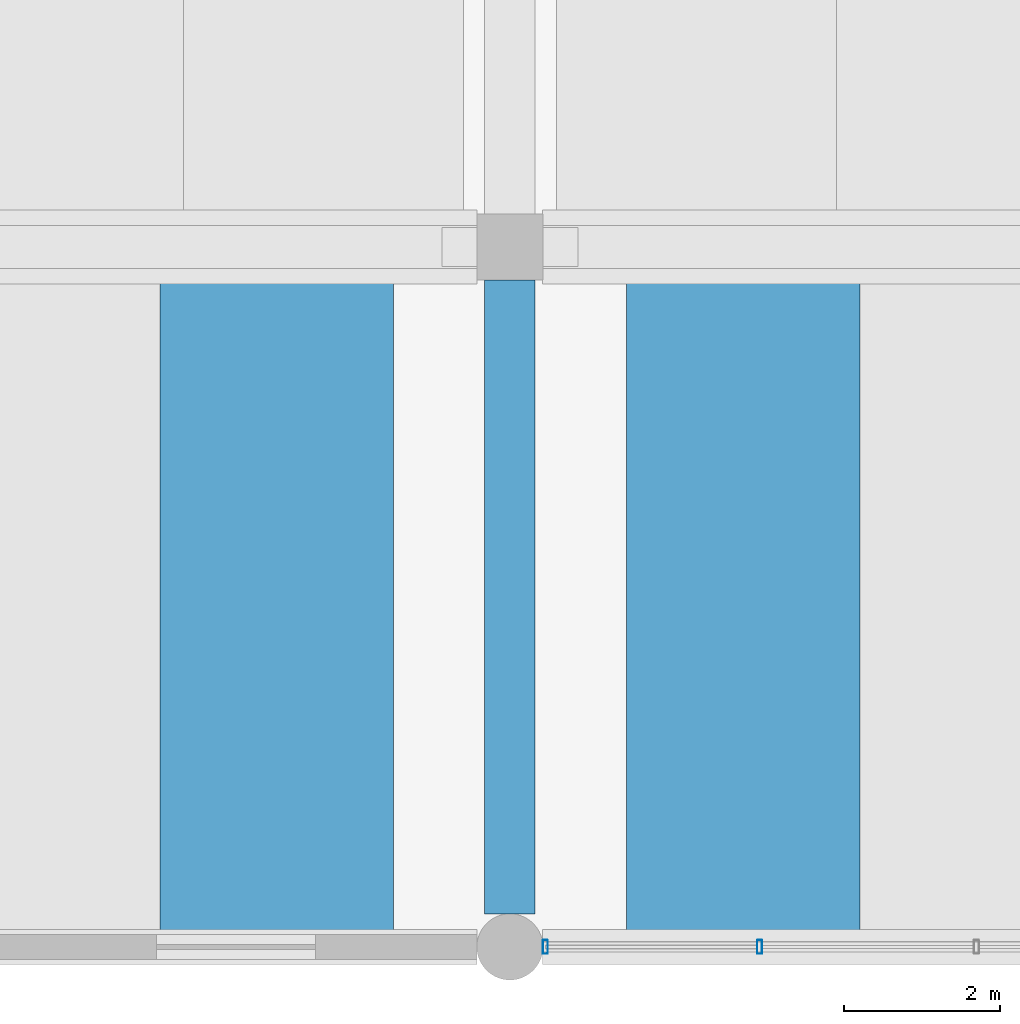
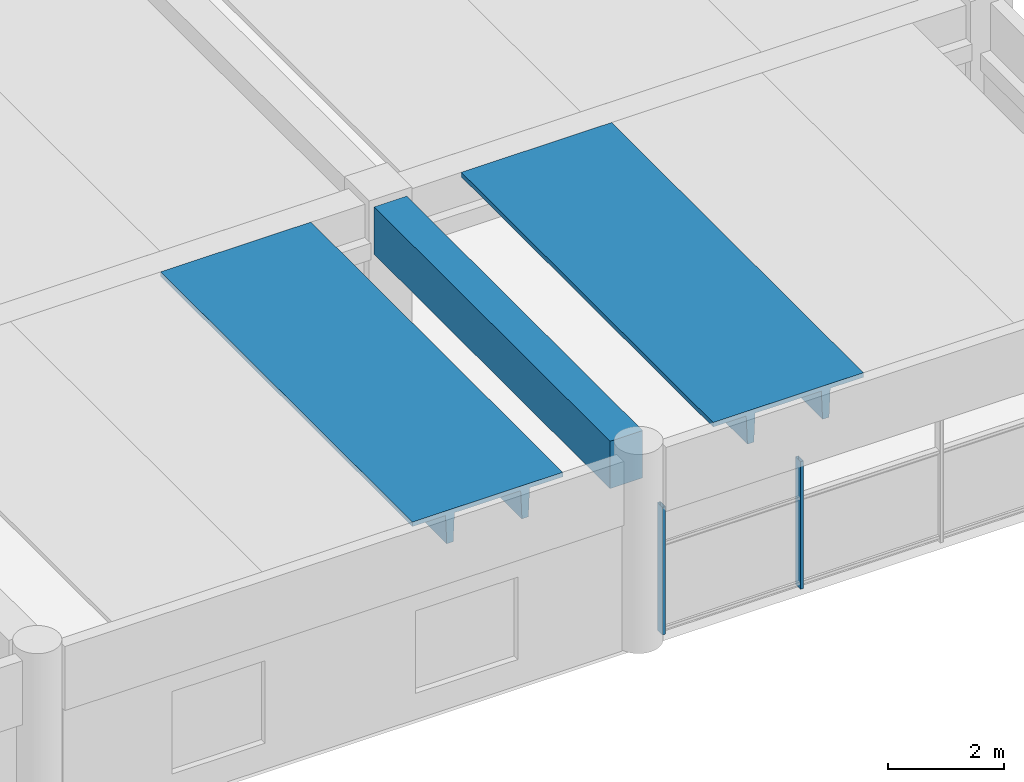
# One storey, part 23 of 50: 3 beams, 2 members, 1 element without a shape of its own.
"""IFC4 building model written with IfcOpenShell, lengths in metres."""

from ifc_helpers import new_model, si_unit, direction, frame, origin, origin_2d, place, context, subcontext, project, spatial, polyline, rectangle, hollow_rectangle, outline, extrude, material, material_profile, profile_set, type_object, element, aggregate, save


model = new_model("IFC4")

# Units and contexts
model_context = context("Model", 3, precision=1e-05, world=origin(), true_north=direction((0.0, 1.0)))
body_context = subcontext(model_context, "Body", "Model", "MODEL_VIEW")
ifc_project = project(units=[si_unit("LENGTHUNIT", "METRE"), si_unit("AREAUNIT", "SQUARE_METRE"), si_unit("VOLUMEUNIT", "CUBIC_METRE"), si_unit("PLANEANGLEUNIT", "RADIAN"), si_unit("MASSUNIT", "GRAM", prefix="KILO")], contexts=[model_context])

# Site, building, storey
site_placement = place(None, origin())
site = spatial("IfcSite", under=ifc_project, at=site_placement, CompositionType="ELEMENT")
building_placement = place(site_placement, origin())
building = spatial("IfcBuilding", under=site, at=building_placement, Name="Girod Span Mobility Hub", CompositionType="ELEMENT")
storey_placement = place(building_placement, frame((0.0, 0.0, 5.39990234375)))
storey = spatial("IfcBuildingStorey", under=building, at=storey_placement, Name="L01", CompositionType="ELEMENT", Elevation=5.39990234375)

# Beams
ifc_material_1 = material(Name="Concrete C50/60", Category="concrete")
ifc_material_profile_1 = material_profile(ifc_material_1, outline(polyline([(-1.5, 0.35009765625), (-1.5, 0.2548828125), (-0.840087890625, 0.2548828125), (-0.81494140625, -0.35009765625), (-0.68505859375, -0.35009765625), (-0.659912109375, 0.2548828125), (0.659912109375, 0.2548828125), (0.68505859375, -0.35009765625), (0.81494140625, -0.35009765625), (0.840087890625, 0.2548828125), (1.5, 0.2548828125), (1.5, 0.35009765625), (-1.5, 0.35009765625)])), Name="DT-3000X700")
ifc_profile_set_1 = profile_set([ifc_material_profile_1], Name="Concrete C50/60")
beam_type_1 = type_object("IfcBeamType", Name="BM-DT-3000X700", PredefinedType="JOIST", material=ifc_profile_set_1)
for number, where, z_axis, x_axis, name in (
    (1, (153.0, 0.02197265625, 3.690185546875), (0.0, 1.0, 0.0), (-1.0, 0.0, 0.0), "Double-Tee Deck 13/A-3 L01"),
    (2, (159.0, 0.02197265625, 3.690185546875), (0.0, 1.0, 0.0), (-1.0, 0.0, 0.0), "Double-Tee Deck 14/A-1 L01"),
):
    element("IfcBeam", number, at=place(storey_placement, frame(where, z_axis=z_axis, x_axis=x_axis)), inside=storey, type_object=beam_type_1, Name=name, PredefinedType="JOIST", context=body_context, shape_type="SweptSolid", body=[
        extrude(outline(polyline([(-1.5, 0.35009765625), (-1.5, 0.2548828125), (-0.840087890625, 0.2548828125), (-0.81494140625, -0.35009765625), (-0.68505859375, -0.35009765625), (-0.659912109375, 0.2548828125), (0.659912109375, 0.2548828125), (0.68505859375, -0.35009765625), (0.81494140625, -0.35009765625), (0.840087890625, 0.2548828125), (1.5, 0.2548828125), (1.5, 0.35009765625), (-1.5, 0.35009765625)])), origin(), (0.0, 0.0, 1.0), 8.7060546875),
    ])
ifc_material_2 = material(Name="Concrete C40/50", Category="concrete")
ifc_material_profile_2 = material_profile(ifc_material_2, rectangle(XDim=0.64990234375, YDim=1.0, at=origin_2d()), Name="TG-650X1000")
ifc_profile_set_2 = profile_set([ifc_material_profile_2], Name="Concrete C40/50")
beam_type_2 = type_object("IfcBeamType", Name="BM-TG-650X1000", PredefinedType="T_BEAM", material=ifc_profile_set_2)
beam_placement = place(storey_placement, frame((156.0, 0.422119140625, 3.5400390625), z_axis=(0.0, 1.0, 0.0), x_axis=(-1.0, 0.0, 0.0)))
element("IfcBeam", 3, at=beam_placement, inside=storey, type_object=beam_type_2, Name="Tie Girder 14/A-B L01", PredefinedType="T_BEAM", context=body_context, shape_type="SweptSolid", body=[
    extrude(rectangle(XDim=0.64990234375, YDim=1.0, at=origin_2d()), origin(), (0.0, 0.0, 1.0), 8.15576171875),
])

# Curtain wall, members
ifc_material_3 = material(Name="Thermally Broken Anodised Aluminium", Category="aluminium")
curtain_wall_type = type_object("IfcCurtainWallType", Name="CW-1115X269", PredefinedType="USERDEFINED", material=ifc_material_3)
curtain_wall_placement = place(storey_placement, origin())
curtain_wall = element("IfcCurtainWall", 4, at=curtain_wall_placement, inside=storey, type_object=curtain_wall_type, Name="Concourse Storefront CW-L01-S14 L01", ObjectType="CONCOURSE STOREFRONT", PredefinedType="USERDEFINED")
ifc_material_4 = material(Name="Thermally Broken Anodised Aluminium", Category="aluminium")
ifc_material_profile_3 = material_profile(ifc_material_4, hollow_rectangle(XDim=0.179931640625, YDim=0.06494140625, WallThickness=0.00390625, InnerFilletRadius=0.00390625, OuterFilletRadius=0.008056640625, at=origin_2d()), Name="CW-ML-65X180")
ifc_profile_set_3 = profile_set([ifc_material_profile_3], Name="Thermally Broken Anodised Aluminium")
member_type = type_object("IfcMemberType", Name="CWM-ML-2", PredefinedType="MULLION", material=ifc_profile_set_3)
member_1_placement = place(storey_placement, frame((156.455078125, 0.0, 0.0), z_axis=(0.0, 0.0, 1.0), x_axis=(0.0, 1.0, 0.0)))
member_1 = element("IfcMember", 5, at=member_1_placement, type_object=member_type, Name="Curtain Wall Mullion CW-L01-S14-M0", PredefinedType="MULLION", context=body_context, shape_type="SweptSolid", body=[
    extrude(hollow_rectangle(XDim=0.179931640625, YDim=0.06494140625, WallThickness=0.00390625, InnerFilletRadius=0.00390625, OuterFilletRadius=0.008056640625, at=origin_2d()), origin(), (0.0, 0.0, 1.0), 2.690185546875),
])
member_2_placement = place(storey_placement, frame((159.21142578125, 0.0, 0.0), z_axis=(0.0, 0.0, 1.0), x_axis=(0.0, 1.0, 0.0)))
member_2 = element("IfcMember", 6, at=member_2_placement, type_object=member_type, Name="Curtain Wall Mullion CW-L01-S14-M1", PredefinedType="MULLION", context=body_context, shape_type="SweptSolid", body=[
    extrude(hollow_rectangle(XDim=0.179931640625, YDim=0.06494140625, WallThickness=0.00390625, InnerFilletRadius=0.00390625, OuterFilletRadius=0.008056640625, at=origin_2d()), origin(), (0.0, 0.0, 1.0), 2.690185546875),
])
aggregate(curtain_wall, [member_1, member_2])

save(model, "model.ifc")
